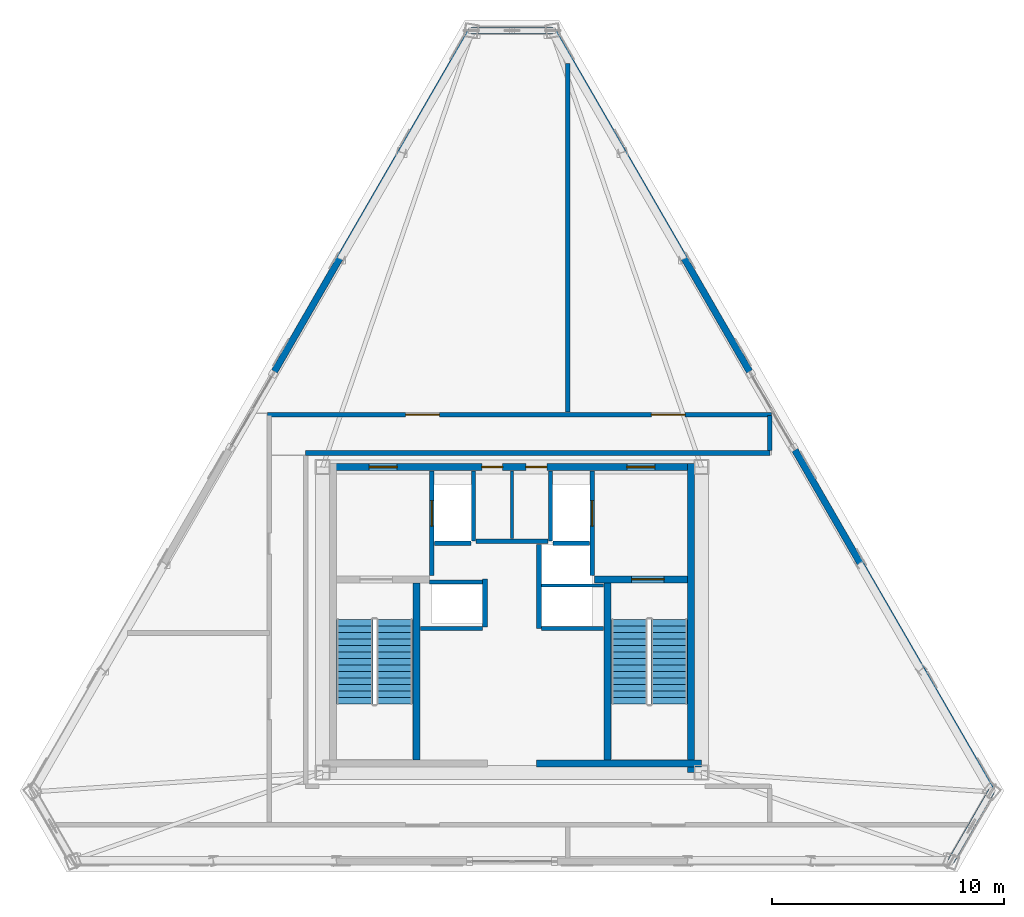
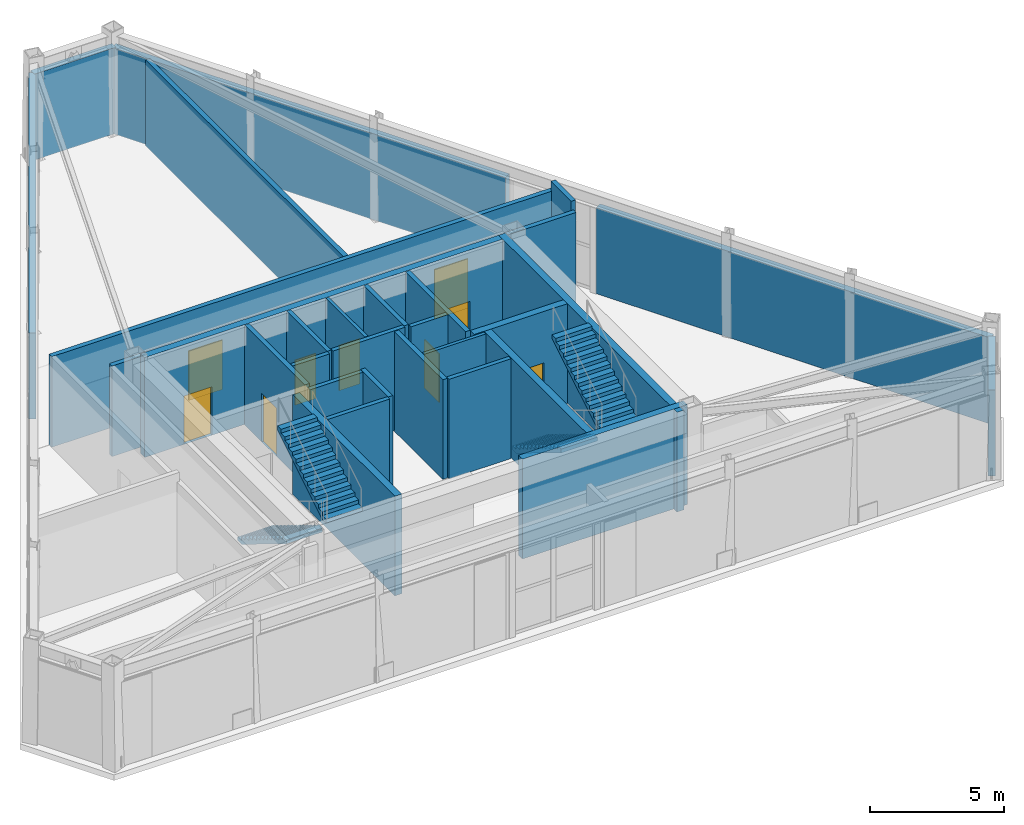
# One storey, part 9 of 12: 29 walls, 9 doors, 4 stair flights, 9 openings, 2 elements without a shape of their own.
"""IFC4 building model written with IfcOpenShell, lengths in metres."""

from ifc_helpers import new_model, si_unit, direction, frame, frame_2d, origin, place, context, subcontext, project, spatial, polyline, rectangle, outline, extrude, material, layer, layer_set, type_object, element, fill, aggregate, save


model = new_model("IFC4")

# Units and contexts
model_context = context("Model", 3, precision=1e-05, world=origin(), true_north=direction((0.0, 1.0)))
body_context = subcontext(model_context, "Body", "Model", "MODEL_VIEW")
ifc_project = project(units=[si_unit("LENGTHUNIT", "METRE"), si_unit("AREAUNIT", "SQUARE_METRE"), si_unit("VOLUMEUNIT", "CUBIC_METRE"), si_unit("PLANEANGLEUNIT", "RADIAN"), si_unit("MASSUNIT", "GRAM", prefix="KILO")], contexts=[model_context])

# Site, building, storey
site_placement = place(None, origin())
site = spatial("IfcSite", under=ifc_project, at=site_placement, CompositionType="ELEMENT")
building_placement = place(site_placement, origin())
building = spatial("IfcBuilding", under=site, at=building_placement, Name="Oramaril Tower", CompositionType="ELEMENT")
storey_placement = place(building_placement, frame((0.0, 0.0, 314.10009765625)))
storey = spatial("IfcBuildingStorey", under=building, at=storey_placement, Name="L82", CompositionType="ELEMENT", Elevation=314.10009765625)

# Walls
ifc_material_1 = material(Name="Warm Cream Limestone", Category="masonry")
ifc_layer_1 = layer(ifc_material_1, 0.2900390625)
ifc_layer_set_1 = layer_set([ifc_layer_1], Name="WT-EXT29")
wall_type_1 = type_object("IfcWallType", Name="WT-EXT29", PredefinedType="SOLIDWALL", material=ifc_layer_set_1)
wall_1_placement = place(storey_placement, frame((56.392578125, 7.164306640625, 0.0), z_axis=(0.0, 0.0, 1.0), x_axis=(0.500011241135, 0.866018913615, 0.0)))
element("IfcWall", 1, at=wall_1_placement, inside=storey, type_object=wall_type_1, Name="L82 Tower Limestone Facade Wall 3M", PredefinedType="SOLIDWALL", context=body_context, shape_type="SweptSolid", body=[
    extrude(rectangle(XDim=3.5126953125, YDim=0.2900390625, at=frame_2d((1.75634765625, 0.0))), origin(), (0.0, 0.0, 1.0), 3.91796875),
])
wall_2_placement = place(storey_placement, frame((58.14892578125, 10.206298828125, 0.0), z_axis=(0.0, 0.0, 1.0), x_axis=(-0.500002689085, 0.866023851235, 0.0)))
element("IfcWall", 2, at=wall_2_placement, inside=storey, type_object=wall_type_1, Name="L82 Tower Limestone Facade Wall 4L", PredefinedType="SOLIDWALL", context=body_context, shape_type="SweptSolid", body=[
    extrude(rectangle(XDim=16.94287109375, YDim=0.2900390625, at=frame_2d((8.471435546875, 0.0))), origin(), (0.0, 0.0, 1.0), 3.91796875),
])
wall_3_placement = place(storey_placement, frame((47.7275390625, 28.256591796875, 0.0), z_axis=(0.0, 0.0, 1.0), x_axis=(-0.499991881721, 0.866030090824, 0.0)))
element("IfcWall", 3, at=wall_3_placement, inside=storey, type_object=wall_type_1, Name="L82 Tower Limestone Facade Wall 4R", PredefinedType="SOLIDWALL", context=body_context, shape_type="SweptSolid", body=[
    extrude(rectangle(XDim=16.942626953125, YDim=0.2900390625, at=frame_2d((8.47119140625, 0.0))), origin(), (0.0, 0.0, 1.0), 3.91796875),
])
wall_4_placement = place(storey_placement, frame((39.25634765625, 42.929443359375, 0.0), z_axis=(0.0, 0.0, 1.0), x_axis=(-1.0, 0.0, 0.0)))
element("IfcWall", 4, at=wall_4_placement, inside=storey, type_object=wall_type_1, Name="L82 Tower Limestone Facade Wall 5M", PredefinedType="SOLIDWALL", context=body_context, shape_type="SweptSolid", body=[
    extrude(rectangle(XDim=3.5126953125, YDim=0.2900390625, at=frame_2d((1.75634765625, 0.0))), origin(), (0.0, 0.0, 1.0), 3.91796875),
])
wall_5_placement = place(storey_placement, frame((35.74365234375, 42.929443359375, 0.0), z_axis=(0.0, 0.0, 1.0), x_axis=(-0.499991881721, -0.866030090824, 0.0)))
element("IfcWall", 5, at=wall_5_placement, inside=storey, type_object=wall_type_1, Name="L82 Tower Limestone Facade Wall 6L", PredefinedType="SOLIDWALL", context=body_context, shape_type="SweptSolid", body=[
    extrude(rectangle(XDim=16.942626953125, YDim=0.2900390625, at=frame_2d((8.47119140625, 0.0))), origin(), (0.0, 0.0, 1.0), 3.91796875),
])
ifc_material_2 = material(Name="Acoustic Gypsum Board Partition")
ifc_layer_2 = layer(ifc_material_2, 0.139892578125)
ifc_layer_set_2 = layer_set([ifc_layer_2], Name="WT-PT14")
wall_type_2 = type_object("IfcWallType", Name="WT-PT14", PredefinedType="PARTITIONING", material=ifc_layer_set_2)
wall_6_placement = place(storey_placement, frame((38.780029296875, 19.050048828125, 0.0), z_axis=(0.0, 0.0, 1.0), x_axis=(1.0, 0.0, 0.0)))
element("IfcWall", 6, at=wall_6_placement, inside=storey, type_object=wall_type_2, Name="L82 High-Rise Lift H2-H3 Divider", PredefinedType="PARTITIONING", context=body_context, shape_type="SweptSolid", body=[
    extrude(rectangle(XDim=2.659912109375, YDim=0.139892578125, at=frame_2d((1.330078125, 0.0))), origin(), (0.0, 0.0, 1.0), 4.539794921875),
])
wall_7_placement = place(storey_placement, frame((37.5, 21.06005859375, 0.0), z_axis=(0.0, 0.0, 1.0), x_axis=(0.0, 1.0, 0.0)))
element("IfcWall", 7, at=wall_7_placement, inside=storey, type_object=wall_type_2, Name="L82 Core Service Divider", PredefinedType="PARTITIONING", context=body_context, shape_type="SweptSolid", body=[
    extrude(rectangle(XDim=2.919921875, YDim=0.139892578125, at=frame_2d((1.4599609375, 0.0))), origin(), (0.0, 0.0, 1.0), 4.539794921875),
])
ifc_material_3 = material(Name="Autoclaved Cellular Concrete Block", Category="concrete")
ifc_layer_3 = layer(ifc_material_3, 0.179931640625)
ifc_layer_set_3 = layer_set([ifc_layer_3], Name="WT-PT18")
wall_type_3 = type_object("IfcWallType", Name="WT-PT18", PredefinedType="PARTITIONING", material=ifc_layer_set_3)
wall_8_placement = place(storey_placement, frame((35.840087890625, 20.9599609375, 0.0), z_axis=(0.0, 0.0, 1.0), x_axis=(0.0, 1.0, 0.0)))
element("IfcWall", 8, at=wall_8_placement, inside=storey, type_object=wall_type_3, Name="L82 FL-1 East Shaft Wall", PredefinedType="PARTITIONING", context=body_context, shape_type="SweptSolid", body=[
    extrude(rectangle(XDim=3.02001953125, YDim=0.179931640625, at=frame_2d((1.510009765625, 0.0))), origin(), (0.0, 0.0, 1.0), 4.539794921875),
])
wall_9_placement = place(storey_placement, frame((34.159912109375, 20.860107421875, 0.0), z_axis=(0.0, 0.0, 1.0), x_axis=(1.0, 0.0, 0.0)))
element("IfcWall", 9, at=wall_9_placement, inside=storey, type_object=wall_type_3, Name="L82 FL-1 South Shaft Wall", PredefinedType="PARTITIONING", context=body_context, shape_type="SweptSolid", body=[
    extrude(rectangle(XDim=1.580078125, YDim=0.179931640625, at=frame_2d((0.7900390625, 0.0))), origin(), (0.0, 0.0, 1.0), 4.539794921875),
])
wall_10_placement = place(storey_placement, frame((39.159912109375, 20.9599609375, 0.0), z_axis=(0.0, 0.0, 1.0), x_axis=(0.0, 1.0, 0.0)))
element("IfcWall", 10, at=wall_10_placement, inside=storey, type_object=wall_type_3, Name="L82 FL-2 West Shaft Wall", PredefinedType="PARTITIONING", context=body_context, shape_type="SweptSolid", body=[
    extrude(rectangle(XDim=3.02001953125, YDim=0.179931640625, at=frame_2d((1.510009765625, 0.0))), origin(), (0.0, 0.0, 1.0), 4.539794921875),
])
wall_11_placement = place(storey_placement, frame((39.260009765625, 20.860107421875, 0.0), z_axis=(0.0, 0.0, 1.0), x_axis=(1.0, 0.0, 0.0)))
element("IfcWall", 11, at=wall_11_placement, inside=storey, type_object=wall_type_3, Name="L82 FL-2 South Shaft Wall", PredefinedType="PARTITIONING", context=body_context, shape_type="SweptSolid", body=[
    extrude(rectangle(XDim=1.580078125, YDim=0.179931640625, at=frame_2d((0.7900390625, 0.0))), origin(), (0.0, 0.0, 1.0), 4.539794921875),
])
wall_12_placement = place(storey_placement, frame((33.949951171875, 19.199951171875, 0.0), z_axis=(0.0, 0.0, 1.0), x_axis=(1.0, 0.0, 0.0)))
element("IfcWall", 12, at=wall_12_placement, inside=storey, type_object=wall_type_3, Name="L82 High-Rise Lift H1 North Shaft Wall", PredefinedType="PARTITIONING", context=body_context, shape_type="SweptSolid", body=[
    extrude(rectangle(XDim=2.27001953125, YDim=0.179931640625, at=frame_2d((1.135009765625, 0.0))), origin(), (0.0, 0.0, 1.0), 4.539794921875),
])
for number, where, z_axis, x_axis, name in (
    (13, (33.56005859375, 17.199951171875, 0.0), (0.0, 0.0, 1.0), (1.0, 0.0, 0.0), "L82 High-Rise Lift H1 South Wall"),
    (14, (38.780029296875, 17.199951171875, 0.0), (0.0, 0.0, 1.0), (1.0, 0.0, 0.0), "L82 High-Rise Lift H2 South Wall"),
):
    element("IfcWall", number, at=place(storey_placement, frame(where, z_axis=z_axis, x_axis=x_axis)), inside=storey, type_object=wall_type_3, Name=name, PredefinedType="PARTITIONING", context=body_context, shape_type="SweptSolid", body=[
        extrude(rectangle(XDim=2.659912109375, YDim=0.179931640625, at=frame_2d((1.330078125, 0.0))), origin(), (0.0, 0.0, 1.0), 4.539794921875),
    ])
wall_13_placement = place(storey_placement, frame((35.949951171875, 20.949951171875, 0.0), z_axis=(0.0, 0.0, 1.0), x_axis=(1.0, 0.0, 0.0)))
element("IfcWall", 15, at=wall_13_placement, inside=storey, type_object=wall_type_3, Name="L82 Lift Lobby North Partition", PredefinedType="PARTITIONING", context=body_context, shape_type="SweptSolid", body=[
    extrude(rectangle(XDim=3.10009765625, YDim=0.179931640625, at=frame_2d((1.550048828125, 0.0))), origin(), (0.0, 0.0, 1.0), 4.539794921875),
])
ifc_material_4 = material(Name="Autoclaved Cellular Concrete Block", Category="concrete")
ifc_layer_4 = layer(ifc_material_4, 0.199951171875)
ifc_layer_set_4 = layer_set([ifc_layer_4], Name="WT-PT20")
wall_type_4 = type_object("IfcWallType", Name="WT-PT20", PredefinedType="PARTITIONING", material=ifc_layer_set_4)
wall_14_placement = place(storey_placement, frame((28.6201171875, 24.75, 0.0), z_axis=(0.0, 0.0, 1.0), x_axis=(1.0, 0.0, 0.0)))
element("IfcWall", 16, at=wall_14_placement, inside=storey, type_object=wall_type_4, Name="L82 Interior Partition PT-20", PredefinedType="PARTITIONING", context=body_context, shape_type="SweptSolid", body=[
    extrude(rectangle(XDim=19.97998046875, YDim=0.199951171875, at=frame_2d((9.989990234375, 0.0))), origin(), (0.0, 0.0, 1.0), 4.1259765625),
])

# Wall, openings, doors
wall_15_placement = place(storey_placement, frame((26.98193359375, 26.39990234375, 0.0), z_axis=(0.0, 0.0, 1.0), x_axis=(1.0, 0.0, 0.0)))
wall_15 = element("IfcWall", 17, at=wall_15_placement, inside=storey, type_object=wall_type_4, Name="L82 Interior Partition PT-20", PredefinedType="PARTITIONING", context=body_context, shape_type="SweptSolid", body=[
    extrude(rectangle(XDim=21.68603515625, YDim=0.199951171875, at=frame_2d((10.843017578125, 0.0))), origin(), (0.0, 0.0, 1.0), 4.1259765625),
])
opening_1_placement = place(wall_15_placement, frame((5.943115234375, 0.0, 0.0)))
opening_1 = element("IfcOpeningElement", 18, at=opening_1_placement, cuts=wall_15, Name="Opening D-L82-03", PredefinedType="OPENING", context=body_context, shape_type="SweptSolid", body=[
    extrude(rectangle(XDim=1.449951171875, YDim=2.25, at=frame_2d((0.72509765625, 1.125))), frame((0.0, 0.10009765625, 0.0), z_axis=(0.0, -1.0, 0.0), x_axis=(1.0, 0.0, 0.0)), (0.0, 0.0, 1.0), 0.199951171875),
])
opening_2_placement = place(wall_15_placement, frame((16.51708984375, 0.0, 0.0)))
opening_2 = element("IfcOpeningElement", 19, at=opening_2_placement, cuts=wall_15, Name="Opening D-L82-04", PredefinedType="OPENING", context=body_context, shape_type="SweptSolid", body=[
    extrude(rectangle(XDim=1.449951171875, YDim=2.25, at=frame_2d((0.72509765625, 1.125))), frame((0.0, 0.10009765625, 0.0), z_axis=(0.0, -1.0, 0.0), x_axis=(1.0, 0.0, 0.0)), (0.0, 0.0, 1.0), 0.199951171875),
])
ifc_material_5 = material(Name="Painted Galvanised Steel", Category="steel")
door_type_1 = type_object("IfcDoorType", Name="DT-PLT", OperationType="NOTDEFINED", PredefinedType="DOOR", material=ifc_material_5)
door_1_placement = place(opening_1_placement, origin())
door_1 = element("IfcDoor", 20, at=door_1_placement, inside=storey, type_object=door_type_1, Name="L82 L82 Fire Water Tank Plant Room Door D-L82-03", OperationType="SINGLE_SWING_RIGHT", OverallHeight=2.25, OverallWidth=1.449951171875, PredefinedType="DOOR", context=body_context, shape_type="SweptSolid", body=[
    extrude(rectangle(XDim=1.449951171875, YDim=2.25, at=frame_2d((0.72509765625, 1.125))), frame((0.0, 0.02490234375, 0.0), z_axis=(0.0, -1.0, 0.0), x_axis=(1.0, 0.0, 0.0)), (0.0, 0.0, 1.0), 0.050048828125),
])
fill(opening_1, door_1)
door_2_placement = place(opening_2_placement, origin())
door_2 = element("IfcDoor", 21, at=door_2_placement, inside=storey, type_object=door_type_1, Name="L82 L82 Stair Pressurisation Plant Room Door D-L82-04", OperationType="SINGLE_SWING_LEFT", OverallHeight=2.25, OverallWidth=1.449951171875, PredefinedType="DOOR", context=body_context, shape_type="SweptSolid", body=[
    extrude(rectangle(XDim=1.449951171875, YDim=2.25, at=frame_2d((0.72509765625, 1.125))), frame((0.0, 0.02490234375, 0.0), z_axis=(0.0, -1.0, 0.0), x_axis=(1.0, 0.0, 0.0)), (0.0, 0.0, 1.0), 0.050048828125),
])
fill(opening_2, door_2)

# Walls
wall_16_placement = place(storey_placement, frame((39.89990234375, 26.50390625, 0.0), z_axis=(0.0, 0.0, 1.0), x_axis=(0.0, 1.0, 0.0)))
element("IfcWall", 22, at=wall_16_placement, inside=storey, type_object=wall_type_4, Name="L82 Interior Partition PT-20", PredefinedType="PARTITIONING", context=body_context, shape_type="SweptSolid", body=[
    extrude(rectangle(XDim=15.0126953125, YDim=0.199951171875, at=frame_2d((7.50634765625, 0.0))), origin(), (0.0, 0.0, 1.0), 3.91796875),
])
wall_17_placement = place(storey_placement, frame((48.60009765625, 24.85400390625, 0.0), z_axis=(0.0, 0.0, 1.0), x_axis=(0.0, 1.0, 0.0)))
element("IfcWall", 23, at=wall_17_placement, inside=storey, type_object=wall_type_4, Name="L82 Interior Partition PT-20", PredefinedType="PARTITIONING", context=body_context, shape_type="SweptSolid", body=[
    extrude(rectangle(XDim=1.510009765625, YDim=0.199951171875, at=frame_2d((0.7548828125, 0.0))), origin(), (0.0, 0.0, 1.0), 4.539794921875),
])
ifc_material_6 = material(Name="Concrete C50/60", Category="concrete")
ifc_layer_5 = layer(ifc_material_6, 0.300048828125)
ifc_layer_set_5 = layer_set([ifc_layer_5], Name="WT-SH30")
wall_type_5 = type_object("IfcWallType", Name="WT-SH30", PredefinedType="SHEAR", material=ifc_layer_set_5)
wall_18_placement = place(storey_placement, frame((45.2099609375, 11.0, 0.0), z_axis=(0.0, 0.0, 1.0), x_axis=(0.0, 1.0, 0.0)))
element("IfcWall", 24, at=wall_18_placement, inside=storey, type_object=wall_type_5, Name="L82 Core Shear Wall CW-E", PredefinedType="SHEAR", context=body_context, shape_type="SweptSolid", body=[
    extrude(rectangle(XDim=13.300048828125, YDim=0.300048828125, at=frame_2d((6.64990234375, 0.0))), origin(), (0.0, 0.0, 1.0), 4.539794921875),
])
wall_19_placement = place(storey_placement, frame((38.550048828125, 11.389892578125, 0.0), z_axis=(0.0, 0.0, 1.0), x_axis=(1.0, 0.0, 0.0)))
element("IfcWall", 25, at=wall_19_placement, inside=storey, type_object=wall_type_5, Name="L82 Core Shear Wall CW-SE", PredefinedType="SHEAR", context=body_context, shape_type="SweptSolid", body=[
    extrude(rectangle(XDim=7.099853515625, YDim=0.300048828125, at=frame_2d((3.5498046875, 0.0))), origin(), (0.0, 0.0, 1.0), 4.539794921875),
])

# Wall, openings, doors
wall_20_placement = place(storey_placement, frame((29.64990234375, 24.14990234375, 0.0), z_axis=(0.0, 0.0, 1.0), x_axis=(1.0, 0.0, 0.0)))
wall_20 = element("IfcWall", 26, at=wall_20_placement, inside=storey, type_object=wall_type_5, Name="L82 Core Shear Wall CW-N", PredefinedType="SHEAR", context=body_context, shape_type="SweptSolid", body=[
    extrude(rectangle(XDim=15.7001953125, YDim=0.300048828125, at=frame_2d((7.85009765625, 0.0))), origin(), (0.0, 0.0, 1.0), 4.539794921875),
])
opening_3_placement = place(wall_20_placement, frame((1.699951171875, 0.0, 0.0)))
opening_3 = element("IfcOpeningElement", 27, at=opening_3_placement, cuts=wall_20, Name="Opening D-L82-FFL1", PredefinedType="OPENING", context=body_context, shape_type="SweptSolid", body=[
    extrude(rectangle(XDim=1.199951171875, YDim=2.199951171875, at=frame_2d((0.60009765625, 1.10009765625))), frame((0.0, 0.14990234375, 0.0), z_axis=(0.0, -1.0, 0.0), x_axis=(1.0, 0.0, 0.0)), (0.0, 0.0, 1.0), 0.300048828125),
])
opening_4_placement = place(wall_20_placement, frame((12.800048828125, 0.0, 0.0)))
opening_4 = element("IfcOpeningElement", 28, at=opening_4_placement, cuts=wall_20, Name="Opening D-L82-FFL2", PredefinedType="OPENING", context=body_context, shape_type="SweptSolid", body=[
    extrude(rectangle(XDim=1.199951171875, YDim=2.199951171875, at=frame_2d((0.60009765625, 1.10009765625))), frame((0.0, 0.14990234375, 0.0), z_axis=(0.0, -1.0, 0.0), x_axis=(1.0, 0.0, 0.0)), (0.0, 0.0, 1.0), 0.300048828125),
])
opening_5_placement = place(wall_20_placement, frame((6.550048828125, 0.0, 0.0)))
opening_5 = element("IfcOpeningElement", 29, at=opening_5_placement, cuts=wall_20, Name="Opening D-L82-SV1", PredefinedType="OPENING", context=body_context, shape_type="SweptSolid", body=[
    extrude(rectangle(XDim=0.89990234375, YDim=2.050048828125, at=frame_2d((0.449951171875, 1.02490234375))), frame((0.0, 0.14990234375, 0.0), z_axis=(0.0, -1.0, 0.0), x_axis=(1.0, 0.0, 0.0)), (0.0, 0.0, 1.0), 0.300048828125),
])
opening_6_placement = place(wall_20_placement, frame((8.449951171875, 0.0, 0.0)))
opening_6 = element("IfcOpeningElement", 30, at=opening_6_placement, cuts=wall_20, Name="Opening D-L82-SV2", PredefinedType="OPENING", context=body_context, shape_type="SweptSolid", body=[
    extrude(rectangle(XDim=0.89990234375, YDim=2.050048828125, at=frame_2d((0.449951171875, 1.02490234375))), frame((0.0, 0.14990234375, 0.0), z_axis=(0.0, -1.0, 0.0), x_axis=(1.0, 0.0, 0.0)), (0.0, 0.0, 1.0), 0.300048828125),
])
ifc_material_7 = material(Name="Painted Galvanised Steel", Category="steel")
door_type_2 = type_object("IfcDoorType", Name="DT-FFL", OperationType="NOTDEFINED", PredefinedType="DOOR", material=ifc_material_7)
door_3_placement = place(opening_3_placement, origin())
door_3 = element("IfcDoor", 31, at=door_3_placement, inside=storey, type_object=door_type_2, Name="L82 Firefighting Lobby 1 Fire Door", OperationType="SINGLE_SWING_LEFT", OverallHeight=2.199951171875, OverallWidth=1.199951171875, PredefinedType="DOOR", context=body_context, shape_type="SweptSolid", body=[
    extrude(rectangle(XDim=1.199951171875, YDim=2.199951171875, at=frame_2d((0.60009765625, 1.10009765625))), frame((0.0, 0.02490234375, 0.0), z_axis=(0.0, -1.0, 0.0), x_axis=(1.0, 0.0, 0.0)), (0.0, 0.0, 1.0), 0.050048828125),
])
fill(opening_3, door_3)
door_4_placement = place(opening_4_placement, origin())
door_4 = element("IfcDoor", 32, at=door_4_placement, inside=storey, type_object=door_type_2, Name="L82 Firefighting Lobby 2 Fire Door", OperationType="SINGLE_SWING_RIGHT", OverallHeight=2.199951171875, OverallWidth=1.199951171875, PredefinedType="DOOR", context=body_context, shape_type="SweptSolid", body=[
    extrude(rectangle(XDim=1.199951171875, YDim=2.199951171875, at=frame_2d((0.60009765625, 1.10009765625))), frame((0.0, 0.02490234375, 0.0), z_axis=(0.0, -1.0, 0.0), x_axis=(1.0, 0.0, 0.0)), (0.0, 0.0, 1.0), 0.050048828125),
])
fill(opening_4, door_4)
ifc_material_8 = material(Name="Painted Galvanised Steel", Category="steel")
door_type_3 = type_object("IfcDoorType", Name="DT-SVC", OperationType="NOTDEFINED", PredefinedType="DOOR", material=ifc_material_8)
door_5_placement = place(opening_5_placement, origin())
door_5 = element("IfcDoor", 33, at=door_5_placement, inside=storey, type_object=door_type_3, Name="L82 Core Service Store 1 Door", OperationType="SINGLE_SWING_LEFT", OverallHeight=2.050048828125, OverallWidth=0.89990234375, PredefinedType="DOOR", context=body_context, shape_type="SweptSolid", body=[
    extrude(rectangle(XDim=0.89990234375, YDim=2.050048828125, at=frame_2d((0.449951171875, 1.02490234375))), frame((0.0, 0.02490234375, 0.0), z_axis=(0.0, -1.0, 0.0), x_axis=(1.0, 0.0, 0.0)), (0.0, 0.0, 1.0), 0.050048828125),
])
fill(opening_5, door_5)
door_6_placement = place(opening_6_placement, origin())
door_6 = element("IfcDoor", 34, at=door_6_placement, inside=storey, type_object=door_type_3, Name="L82 Core Service Store 2 Door", OperationType="SINGLE_SWING_RIGHT", OverallHeight=2.050048828125, OverallWidth=0.89990234375, PredefinedType="DOOR", context=body_context, shape_type="SweptSolid", body=[
    extrude(rectangle(XDim=0.89990234375, YDim=2.050048828125, at=frame_2d((0.449951171875, 1.02490234375))), frame((0.0, 0.02490234375, 0.0), z_axis=(0.0, -1.0, 0.0), x_axis=(1.0, 0.0, 0.0)), (0.0, 0.0, 1.0), 0.050048828125),
])
fill(opening_6, door_6)

# Wall, opening, door
wall_21_placement = place(storey_placement, frame((41.050048828125, 19.31005859375, 0.0), z_axis=(0.0, 0.0, 1.0), x_axis=(1.0, 0.0, 0.0)))
wall_21 = element("IfcWall", 35, at=wall_21_placement, inside=storey, type_object=wall_type_5, Name="L82 Core Shear Wall CW-ST2N", PredefinedType="SHEAR", context=body_context, shape_type="SweptSolid", body=[
    extrude(rectangle(XDim=4.010009765625, YDim=0.300048828125, at=frame_2d((2.0048828125, 0.0))), origin(), (0.0, 0.0, 1.0), 4.539794921875),
])
opening_7_placement = place(wall_21_placement, frame((1.60009765625, 0.0, 0.0)))
opening_7 = element("IfcOpeningElement", 36, at=opening_7_placement, cuts=wall_21, Name="Opening D-L82-ST2", PredefinedType="OPENING", context=body_context, shape_type="SweptSolid", body=[
    extrude(rectangle(XDim=1.39990234375, YDim=2.199951171875, at=frame_2d((0.699951171875, 1.10009765625))), frame((0.0, 0.14990234375, 0.0), z_axis=(0.0, -1.0, 0.0), x_axis=(1.0, 0.0, 0.0)), (0.0, 0.0, 1.0), 0.300048828125),
])
ifc_material_9 = material(Name="Painted Galvanised Steel", Category="steel")
door_type_4 = type_object("IfcDoorType", Name="DT-ST", OperationType="NOTDEFINED", PredefinedType="DOOR", material=ifc_material_9)
door_7_placement = place(opening_7_placement, origin())
door_7 = element("IfcDoor", 37, at=door_7_placement, inside=storey, type_object=door_type_4, Name="L82 Protected Stair ST-2 Fire Door", OperationType="SINGLE_SWING_RIGHT", OverallHeight=2.199951171875, OverallWidth=1.39990234375, PredefinedType="DOOR", context=body_context, shape_type="SweptSolid", body=[
    extrude(rectangle(XDim=1.39990234375, YDim=2.199951171875, at=frame_2d((0.699951171875, 1.10009765625))), frame((0.0, 0.02490234375, 0.0), z_axis=(0.0, -1.0, 0.0), x_axis=(1.0, 0.0, 0.0)), (0.0, 0.0, 1.0), 0.050048828125),
])
fill(opening_7, door_7)

# Walls
for number, where, z_axis, x_axis, name in (
    (38, (33.3798828125, 11.5400390625, 0.0), (0.0, 0.0, 1.0), (0.0, 1.0, 0.0), "L82 Core Shear Wall CW-ST1E"),
    (39, (41.6201171875, 11.5400390625, 0.0), (0.0, 0.0, 1.0), (0.0, 1.0, 0.0), "L82 Core Shear Wall CW-ST2W"),
):
    element("IfcWall", number, at=place(storey_placement, frame(where, z_axis=z_axis, x_axis=x_axis)), inside=storey, type_object=wall_type_5, Name=name, PredefinedType="SHEAR", context=body_context, shape_type="SweptSolid", body=[
        extrude(rectangle(XDim=7.619873046875, YDim=0.300048828125, at=frame_2d((3.81005859375, 0.0))), origin(), (0.0, 0.0, 1.0), 4.539794921875),
    ])

# Wall, opening, door
ifc_material_10 = material(Name="Autoclaved Cellular Concrete Block", Category="concrete")
ifc_layer_6 = layer(ifc_material_10, 0.199951171875)
ifc_layer_set_6 = layer_set([ifc_layer_6], Name="WT-SHF20")
wall_type_6 = type_object("IfcWallType", Name="WT-SHF20", PredefinedType="PARTITIONING", material=ifc_layer_set_6)
wall_22_placement = place(storey_placement, frame((34.0400390625, 19.47998046875, 0.0), z_axis=(0.0, 0.0, 1.0), x_axis=(0.0, 1.0, 0.0)))
wall_22 = element("IfcWall", 40, at=wall_22_placement, inside=storey, type_object=wall_type_6, Name="L82 FL-1 Lobby Shaft Wall", PredefinedType="PARTITIONING", context=body_context, shape_type="SweptSolid", body=[
    extrude(rectangle(XDim=4.5, YDim=0.199951171875, at=frame_2d((2.25, 0.0))), origin(), (0.0, 0.0, 1.0), 4.539794921875),
])
opening_8_placement = place(wall_22_placement, frame((2.1201171875, 0.0, 0.0)))
opening_8 = element("IfcOpeningElement", 41, at=opening_8_placement, cuts=wall_22, Name="Opening LD-L82-FL-1", PredefinedType="OPENING", context=body_context, shape_type="SweptSolid", body=[
    extrude(rectangle(XDim=1.10009765625, YDim=2.199951171875, at=frame_2d((0.550048828125, 1.10009765625))), frame((0.0, 0.10009765625, 0.0), z_axis=(0.0, -1.0, 0.0), x_axis=(1.0, 0.0, 0.0)), (0.0, 0.0, 1.0), 0.199951171875),
])
ifc_material_11 = material(Name="Stainless Steel 316L", Category="steel")
door_type_5 = type_object("IfcDoorType", Name="DT-LD1", OperationType="NOTDEFINED", PredefinedType="DOOR", material=ifc_material_11)
door_8_placement = place(opening_8_placement, origin())
door_8 = element("IfcDoor", 42, at=door_8_placement, inside=storey, type_object=door_type_5, Name="L82 Lift FL-1 Sliding Landing Door", OperationType="SLIDING_TO_LEFT", OverallHeight=2.199951171875, OverallWidth=1.10009765625, PredefinedType="DOOR", context=body_context, shape_type="SweptSolid", body=[
    extrude(rectangle(XDim=1.10009765625, YDim=2.199951171875, at=frame_2d((0.550048828125, 1.10009765625))), frame((0.0, 0.02490234375, 0.0), z_axis=(0.0, -1.0, 0.0), x_axis=(1.0, 0.0, 0.0)), (0.0, 0.0, 1.0), 0.050048828125),
])
fill(opening_8, door_8)

wall_23_placement = place(storey_placement, frame((40.9599609375, 19.47998046875, 0.0), z_axis=(0.0, 0.0, 1.0), x_axis=(0.0, 1.0, 0.0)))
wall_23 = element("IfcWall", 43, at=wall_23_placement, inside=storey, type_object=wall_type_6, Name="L82 FL-2 Lobby Shaft Wall", PredefinedType="PARTITIONING", context=body_context, shape_type="SweptSolid", body=[
    extrude(rectangle(XDim=4.5, YDim=0.199951171875, at=frame_2d((2.25, 0.0))), origin(), (0.0, 0.0, 1.0), 4.539794921875),
])
opening_9_placement = place(wall_23_placement, frame((2.1201171875, 0.0, 0.0)))
opening_9 = element("IfcOpeningElement", 44, at=opening_9_placement, cuts=wall_23, Name="Opening LD-L82-FL-2", PredefinedType="OPENING", context=body_context, shape_type="SweptSolid", body=[
    extrude(rectangle(XDim=1.10009765625, YDim=2.199951171875, at=frame_2d((0.550048828125, 1.10009765625))), frame((0.0, 0.10009765625, 0.0), z_axis=(0.0, -1.0, 0.0), x_axis=(1.0, 0.0, 0.0)), (0.0, 0.0, 1.0), 0.199951171875),
])
door_9_placement = place(opening_9_placement, origin())
door_9 = element("IfcDoor", 45, at=door_9_placement, inside=storey, type_object=door_type_5, Name="L82 Lift FL-2 Sliding Landing Door", OperationType="SLIDING_TO_RIGHT", OverallHeight=2.199951171875, OverallWidth=1.10009765625, PredefinedType="DOOR", context=body_context, shape_type="SweptSolid", body=[
    extrude(rectangle(XDim=1.10009765625, YDim=2.199951171875, at=frame_2d((0.550048828125, 1.10009765625))), frame((0.0, 0.02490234375, 0.0), z_axis=(0.0, -1.0, 0.0), x_axis=(1.0, 0.0, 0.0)), (0.0, 0.0, 1.0), 0.050048828125),
])
fill(opening_9, door_9)

# Walls
wall_24_placement = place(storey_placement, frame((36.340087890625, 17.25, 0.0), z_axis=(0.0, 0.0, 1.0), x_axis=(0.0, 1.0, 0.0)))
element("IfcWall", 46, at=wall_24_placement, inside=storey, type_object=wall_type_6, Name="L82 High-Rise Lift H1 Front Wall", PredefinedType="PARTITIONING", context=body_context, shape_type="SweptSolid", body=[
    extrude(rectangle(XDim=2.070068359375, YDim=0.199951171875, at=frame_2d((1.03515625, 0.0))), origin(), (0.0, 0.0, 1.0), 4.539794921875),
])
wall_25_placement = place(storey_placement, frame((38.659912109375, 17.199951171875, 0.0), z_axis=(0.0, 0.0, 1.0), x_axis=(0.0, 1.0, 0.0)))
element("IfcWall", 47, at=wall_25_placement, inside=storey, type_object=wall_type_6, Name="L82 High-Rise Lift H2-H3 Front Wall", PredefinedType="PARTITIONING", context=body_context, shape_type="SweptSolid", body=[
    extrude(rectangle(XDim=3.6201171875, YDim=0.199951171875, at=frame_2d((1.81005859375, 0.0))), origin(), (0.0, 0.0, 1.0), 4.539794921875),
])

# Stair, stair flights
ifc_material_12 = material(Name="Concrete C50/60", Category="concrete")
stair_type = type_object("IfcStairType", Name="STT-DG-4800", PredefinedType="HALF_TURN_STAIR", material=ifc_material_12)
stair_1_placement = place(storey_placement, origin())
stair_1 = element("IfcStair", 48, at=stair_1_placement, inside=storey, type_object=stair_type, Name="L82 Protected PFP Exit Stair ST-1", PredefinedType="HALF_TURN_STAIR")
ifc_material_13 = material(Name="Concrete C50/60", Category="concrete")
stair_flight_type = type_object("IfcStairFlightType", Name="SFT-DG-4800", PredefinedType="STRAIGHT", material=ifc_material_13)
stair_flight_1_placement = place(storey_placement, frame((30.72998046875, 17.590087890625, 0.0), z_axis=(0.0, 0.0, 1.0), x_axis=(0.0, -1.0, 0.0)))
stair_flight_1 = element("IfcStairFlight", 49, at=stair_flight_1_placement, type_object=stair_flight_type, Name="ST-1 flight 1", NumberOfRisers=14, NumberOfTreads=13, PredefinedType="STRAIGHT", RiserHeight=0.171428571, TreadLength=0.28, context=body_context, shape_type="SweptSolid", body=[
    extrude(outline(polyline([(0.0, 0.0), (0.0, 0.17138671875), (0.280029296875, 0.17138671875), (0.280029296875, 0.3427734375), (0.56005859375, 0.3427734375), (0.56005859375, 0.514404296875), (0.840087890625, 0.514404296875), (0.840087890625, 0.685791015625), (1.1201171875, 0.685791015625), (1.1201171875, 0.857177734375), (1.39990234375, 0.857177734375), (1.39990234375, 1.028564453125), (1.679931640625, 1.028564453125), (1.679931640625, 1.199951171875), (1.9599609375, 1.199951171875), (1.9599609375, 1.371337890625), (2.239990234375, 1.371337890625), (2.239990234375, 1.54296875), (2.52001953125, 1.54296875), (2.52001953125, 1.71435546875), (2.800048828125, 1.71435546875), (2.800048828125, 1.8857421875), (3.080078125, 1.8857421875), (3.080078125, 2.05712890625), (3.360107421875, 2.05712890625), (3.360107421875, 2.228515625), (3.639892578125, 2.228515625), (3.639892578125, 2.39990234375), (3.639892578125, 2.052734375), (0.287109375, 0.0), (0.0, 0.0)])), frame((0.0, 0.780029296875, 0.0), z_axis=(0.0, -1.0, 0.0), x_axis=(1.0, 0.0, 0.0)), (0.0, 0.0, 1.0), 1.56005859375),
])
stair_flight_2_placement = place(storey_placement, frame((32.43994140625, 13.949951171875, 2.39990234375), z_axis=(0.0, 0.0, 1.0), x_axis=(0.0, 1.0, 0.0)))
stair_flight_2 = element("IfcStairFlight", 50, at=stair_flight_2_placement, type_object=stair_flight_type, Name="ST-1 flight 2", NumberOfRisers=14, NumberOfTreads=13, PredefinedType="STRAIGHT", RiserHeight=0.171428571, TreadLength=0.28, context=body_context, shape_type="SweptSolid", body=[
    extrude(outline(polyline([(0.0, 0.0), (0.0, 0.17138671875), (0.280029296875, 0.17138671875), (0.280029296875, 0.3427734375), (0.56005859375, 0.3427734375), (0.56005859375, 0.514404296875), (0.840087890625, 0.514404296875), (0.840087890625, 0.685791015625), (1.1201171875, 0.685791015625), (1.1201171875, 0.857177734375), (1.39990234375, 0.857177734375), (1.39990234375, 1.028564453125), (1.679931640625, 1.028564453125), (1.679931640625, 1.199951171875), (1.9599609375, 1.199951171875), (1.9599609375, 1.371337890625), (2.239990234375, 1.371337890625), (2.239990234375, 1.54296875), (2.52001953125, 1.54296875), (2.52001953125, 1.71435546875), (2.800048828125, 1.71435546875), (2.800048828125, 1.8857421875), (3.080078125, 1.8857421875), (3.080078125, 2.05712890625), (3.360107421875, 2.05712890625), (3.360107421875, 2.228515625), (3.639892578125, 2.228515625), (3.639892578125, 2.39990234375), (3.639892578125, 2.052734375), (0.287109375, 0.0), (0.0, 0.0)])), frame((0.0, 0.780029296875, 0.0), z_axis=(0.0, -1.0, 0.0), x_axis=(1.0, 0.0, 0.0)), (0.0, 0.0, 1.0), 1.56005859375),
])
aggregate(stair_1, [stair_flight_1, stair_flight_2])

stair_2_placement = place(storey_placement, origin())
stair_2 = element("IfcStair", 51, at=stair_2_placement, inside=storey, type_object=stair_type, Name="L82 Protected PFP Exit Stair ST-2", PredefinedType="HALF_TURN_STAIR")
stair_flight_3_placement = place(storey_placement, frame((42.56005859375, 17.590087890625, 0.0), z_axis=(0.0, 0.0, 1.0), x_axis=(0.0, -1.0, 0.0)))
stair_flight_3 = element("IfcStairFlight", 52, at=stair_flight_3_placement, type_object=stair_flight_type, Name="ST-2 flight 1", NumberOfRisers=14, NumberOfTreads=13, PredefinedType="STRAIGHT", RiserHeight=0.171428571, TreadLength=0.28, context=body_context, shape_type="SweptSolid", body=[
    extrude(outline(polyline([(0.0, 0.0), (0.0, 0.17138671875), (0.280029296875, 0.17138671875), (0.280029296875, 0.3427734375), (0.56005859375, 0.3427734375), (0.56005859375, 0.514404296875), (0.840087890625, 0.514404296875), (0.840087890625, 0.685791015625), (1.1201171875, 0.685791015625), (1.1201171875, 0.857177734375), (1.39990234375, 0.857177734375), (1.39990234375, 1.028564453125), (1.679931640625, 1.028564453125), (1.679931640625, 1.199951171875), (1.9599609375, 1.199951171875), (1.9599609375, 1.371337890625), (2.239990234375, 1.371337890625), (2.239990234375, 1.54296875), (2.52001953125, 1.54296875), (2.52001953125, 1.71435546875), (2.800048828125, 1.71435546875), (2.800048828125, 1.8857421875), (3.080078125, 1.8857421875), (3.080078125, 2.05712890625), (3.360107421875, 2.05712890625), (3.360107421875, 2.228515625), (3.639892578125, 2.228515625), (3.639892578125, 2.39990234375), (3.639892578125, 2.052734375), (0.287109375, 0.0), (0.0, 0.0)])), frame((0.0, 0.780029296875, 0.0), z_axis=(0.0, -1.0, 0.0), x_axis=(1.0, 0.0, 0.0)), (0.0, 0.0, 1.0), 1.56005859375),
])
stair_flight_4_placement = place(storey_placement, frame((44.27001953125, 13.949951171875, 2.39990234375), z_axis=(0.0, 0.0, 1.0), x_axis=(0.0, 1.0, 0.0)))
stair_flight_4 = element("IfcStairFlight", 53, at=stair_flight_4_placement, type_object=stair_flight_type, Name="ST-2 flight 2", NumberOfRisers=14, NumberOfTreads=13, PredefinedType="STRAIGHT", RiserHeight=0.171428571, TreadLength=0.28, context=body_context, shape_type="SweptSolid", body=[
    extrude(outline(polyline([(0.0, 0.0), (0.0, 0.17138671875), (0.280029296875, 0.17138671875), (0.280029296875, 0.3427734375), (0.56005859375, 0.3427734375), (0.56005859375, 0.514404296875), (0.840087890625, 0.514404296875), (0.840087890625, 0.685791015625), (1.1201171875, 0.685791015625), (1.1201171875, 0.857177734375), (1.39990234375, 0.857177734375), (1.39990234375, 1.028564453125), (1.679931640625, 1.028564453125), (1.679931640625, 1.199951171875), (1.9599609375, 1.199951171875), (1.9599609375, 1.371337890625), (2.239990234375, 1.371337890625), (2.239990234375, 1.54296875), (2.52001953125, 1.54296875), (2.52001953125, 1.71435546875), (2.800048828125, 1.71435546875), (2.800048828125, 1.8857421875), (3.080078125, 1.8857421875), (3.080078125, 2.05712890625), (3.360107421875, 2.05712890625), (3.360107421875, 2.228515625), (3.639892578125, 2.228515625), (3.639892578125, 2.39990234375), (3.639892578125, 2.052734375), (0.287109375, 0.0), (0.0, 0.0)])), frame((0.0, 0.780029296875, 0.0), z_axis=(0.0, -1.0, 0.0), x_axis=(1.0, 0.0, 0.0)), (0.0, 0.0, 1.0), 1.56005859375),
])
aggregate(stair_2, [stair_flight_3, stair_flight_4])

save(model, "model.ifc")
